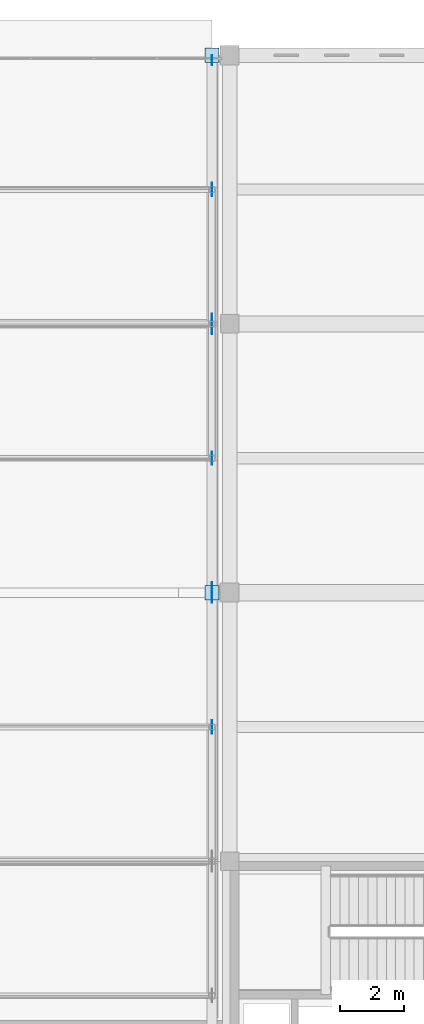
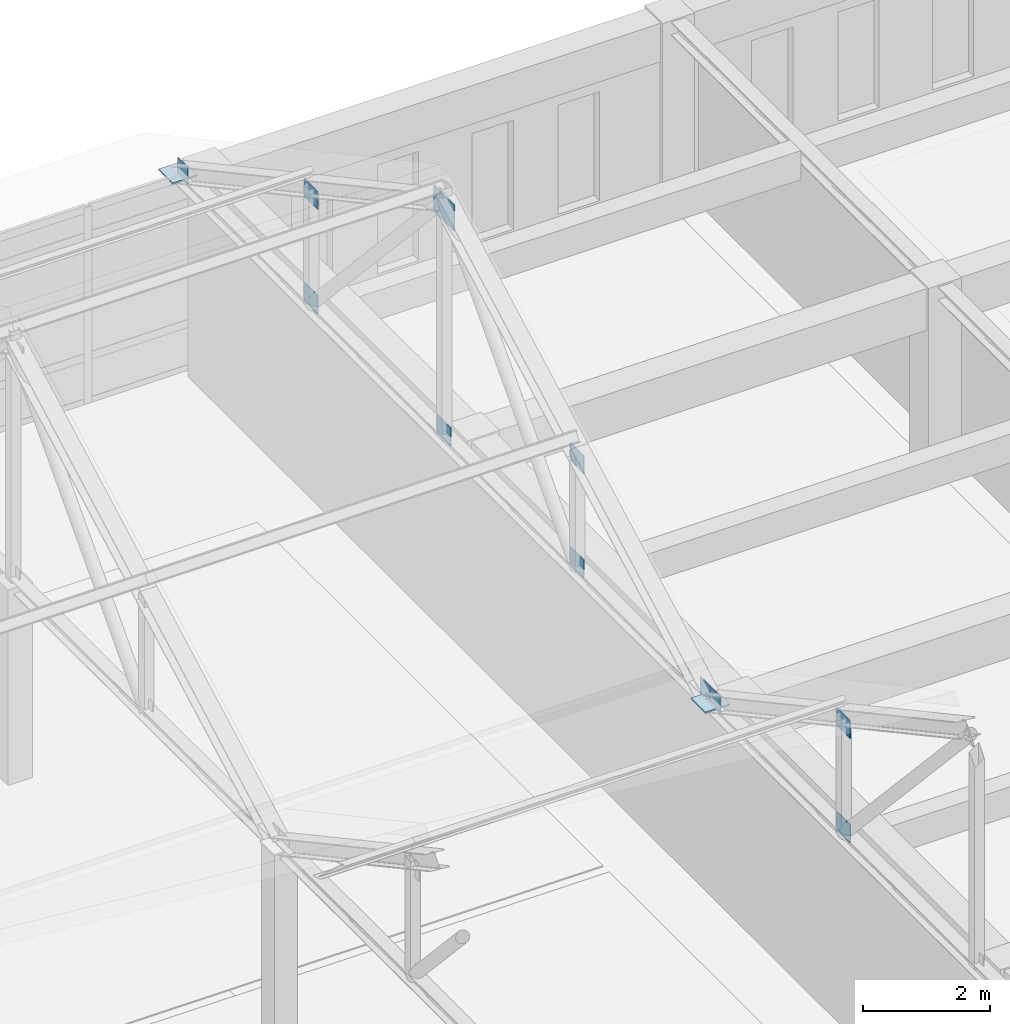
# One storey, part 81 of 110: 13 plates.
"""IFC4 building model written with IfcOpenShell, lengths in metres."""

from ifc_helpers import new_model, si_unit, direction, frame, origin, origin_2d, place, context, subcontext, project, spatial, rectangle, extrude, material, layer, layer_set, type_object, element, save


model = new_model("IFC4")

# Units and contexts
model_context = context("Model", 3, precision=1e-05, world=origin(), true_north=direction((0.0, 1.0)))
body_context = subcontext(model_context, "Body", "Model", "MODEL_VIEW")
ifc_project = project(units=[si_unit("LENGTHUNIT", "METRE"), si_unit("AREAUNIT", "SQUARE_METRE"), si_unit("VOLUMEUNIT", "CUBIC_METRE"), si_unit("PLANEANGLEUNIT", "RADIAN"), si_unit("MASSUNIT", "GRAM", prefix="KILO")], contexts=[model_context])

# Site, building, storey
site_placement = place(None, origin())
site = spatial("IfcSite", under=ifc_project, at=site_placement, CompositionType="ELEMENT")
building_placement = place(site_placement, origin())
building = spatial("IfcBuilding", under=site, at=building_placement, Name="Kveldsbrygga Polytechnic", CompositionType="ELEMENT")
storey_placement = place(building_placement, frame((0.0, 0.0, 9.860107421875)))
storey = spatial("IfcBuildingStorey", under=building, at=storey_placement, Name="L02", CompositionType="ELEMENT", Elevation=9.860107421875)

# Plates
ifc_material = material(Name="Steel S355", Category="steel")
ifc_layer_1 = layer(ifc_material, 0.030029296875)
ifc_layer_set_1 = layer_set([ifc_layer_1], Name="Steel S355")
plate_type_1 = type_object("IfcPlateType", Name="CAP-BEAR-450", PredefinedType="SHEET", material=ifc_layer_set_1)
for number, where, z_axis, x_axis, name in (
    (1, (100.25, 100.800048828125, 3.75), (0.0, 0.0, 1.0), (1.0, 0.0, 0.0), "Truss Bearing Plate V2L1-T08-B"),
    (2, (100.25, 117.60009765625, 3.75), (0.0, 0.0, 1.0), (1.0, 0.0, 0.0), "Truss Bearing Plate V2L2-T08-B"),
):
    element("IfcPlate", number, at=place(storey_placement, frame(where, z_axis=z_axis, x_axis=x_axis)), inside=storey, type_object=plate_type_1, Name=name, PredefinedType="SHEET", context=body_context, shape_type="SweptSolid", body=[
        extrude(rectangle(XDim=0.449951171875, YDim=0.449951171875, at=origin_2d()), origin(), (0.0, 0.0, 1.0), 0.030029296875),
    ])
ifc_layer_2 = layer(ifc_material, 0.02490234375)
ifc_layer_set_2 = layer_set([ifc_layer_2], Name="Steel S355")
plate_type_2 = type_object("IfcPlateType", Name="GUS-APEX-650", PredefinedType="SHEET", material=ifc_layer_set_2)
plate_placement = place(storey_placement, frame((100.25, 109.199951171875, 7.929931640625), z_axis=(0.0, 0.0, 1.0), x_axis=(1.0, 0.0, 0.0)))
element("IfcPlate", 3, at=plate_placement, inside=storey, type_object=plate_type_2, Name="Truss Gusset Plate V2L2-T08-GP-2", PredefinedType="SHEET", context=body_context, shape_type="SweptSolid", body=[
    extrude(rectangle(XDim=0.02490234375, YDim=0.64990234375, at=origin_2d()), origin(), (0.0, 0.0, 1.0), 0.5),
])
ifc_layer_3 = layer(ifc_material, 0.01806640625)
ifc_layer_set_3 = layer_set([ifc_layer_3], Name="Steel S355")
plate_type_3 = type_object("IfcPlateType", Name="GUS-BRACE-320", PredefinedType="SHEET", material=ifc_layer_set_3)
for number, where, z_axis, x_axis, name in (
    (4, (100.25, 100.639892578125, 3.73974609375), (0.0, 0.0, 1.0), (1.0, 0.0, 0.0), "Truss Eaves Node Gusset V2L1-T08-EGP-B"),
    (5, (100.25, 100.9599609375, 3.73974609375), (0.0, 0.0, 1.0), (1.0, 0.0, 0.0), "Truss Eaves Node Gusset V2L2-T08-EGP-A"),
    (6, (100.25, 117.43994140625, 3.73974609375), (0.0, 0.0, 1.0), (1.0, 0.0, 0.0), "Truss Eaves Node Gusset V2L2-T08-EGP-B"),
):
    element("IfcPlate", number, at=place(storey_placement, frame(where, z_axis=z_axis, x_axis=x_axis)), inside=storey, type_object=plate_type_3, Name=name, PredefinedType="SHEET", context=body_context, shape_type="SweptSolid", body=[
        extrude(rectangle(XDim=0.01806640625, YDim=0.320068359375, at=origin_2d()), origin(), (0.0, 0.0, 1.0), 0.320068359375),
    ])
ifc_layer_4 = layer(ifc_material, 0.02001953125)
ifc_layer_set_4 = layer_set([ifc_layer_4], Name="Steel S355")
plate_type_4 = type_object("IfcPlateType", Name="GUS-LECT-420", PredefinedType="SHEET", material=ifc_layer_set_4)
for number, where, z_axis, x_axis, name in (
    (7, (100.25, 96.60009765625, 5.729736328125), (0.0, 0.0, 1.0), (1.0, 0.0, 0.0), "Truss Gusset Plate V2L1-T08-GP-3"),
    (8, (100.25, 96.60009765625, 3.724853515625), (0.0, 0.0, 1.0), (1.0, 0.0, 0.0), "Truss Bottom-Chord Node Gusset V2L1-T08-BGP-3"),
    (9, (100.25, 105.0, 5.729736328125), (0.0, 0.0, 1.0), (1.0, 0.0, 0.0), "Truss Gusset Plate V2L2-T08-GP-1"),
    (10, (100.25, 105.0, 3.724853515625), (0.0, 0.0, 1.0), (1.0, 0.0, 0.0), "Truss Bottom-Chord Node Gusset V2L2-T08-BGP-1"),
    (11, (100.25, 109.199951171875, 3.724853515625), (0.0, 0.0, 1.0), (1.0, 0.0, 0.0), "Truss Bottom-Chord Node Gusset V2L2-T08-BGP-2"),
    (12, (100.25, 113.39990234375, 5.729736328125), (0.0, 0.0, 1.0), (1.0, 0.0, 0.0), "Truss Gusset Plate V2L2-T08-GP-3"),
    (13, (100.25, 113.39990234375, 3.724853515625), (0.0, 0.0, 1.0), (1.0, 0.0, 0.0), "Truss Bottom-Chord Node Gusset V2L2-T08-BGP-3"),
):
    element("IfcPlate", number, at=place(storey_placement, frame(where, z_axis=z_axis, x_axis=x_axis)), inside=storey, type_object=plate_type_4, Name=name, PredefinedType="SHEET", context=body_context, shape_type="SweptSolid", body=[
        extrude(rectangle(XDim=0.02001953125, YDim=0.419921875, at=origin_2d()), origin(), (0.0, 0.0, 1.0), 0.35009765625),
    ])

save(model, "model.ifc")
